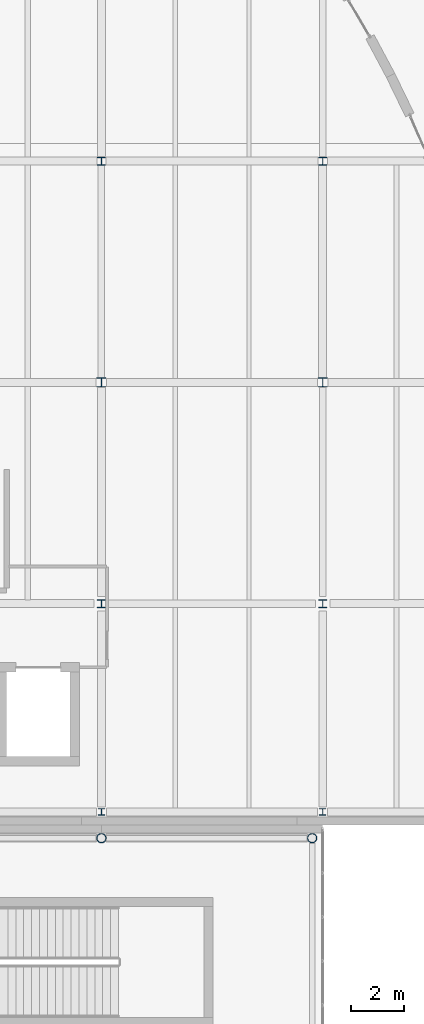
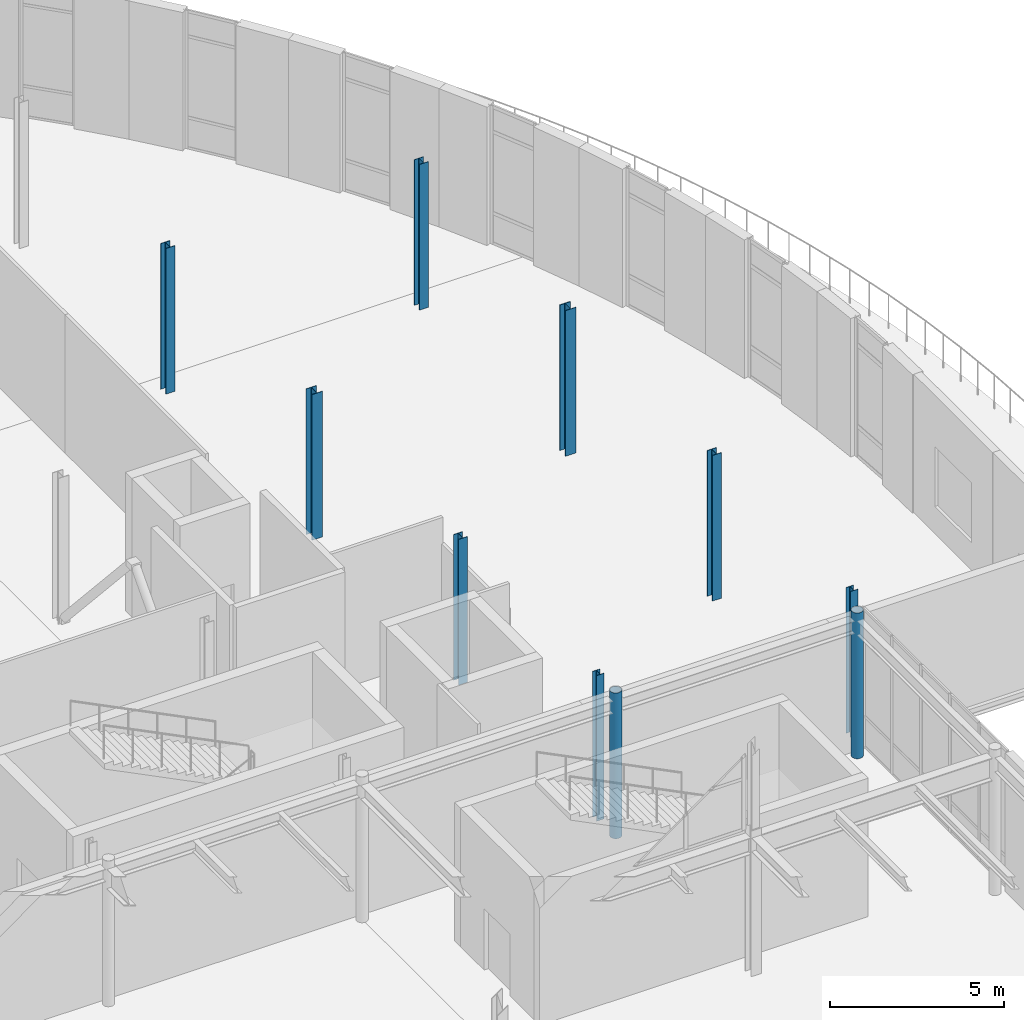
# One storey, part 13 of 91: 10 columns.
"""IFC4 building model written with IfcOpenShell, lengths in metres."""

from ifc_helpers import new_model, si_unit, direction, frame, origin, origin_2d, place, context, subcontext, project, spatial, hollow_circle, i_section, extrude, material, material_profile, profile_set, type_object, element, save


model = new_model("IFC4")

# Units and contexts
model_context = context("Model", 3, precision=1e-05, world=origin(), true_north=direction((0.0, 1.0)))
body_context = subcontext(model_context, "Body", "Model", "MODEL_VIEW")
ifc_project = project(units=[si_unit("LENGTHUNIT", "METRE"), si_unit("AREAUNIT", "SQUARE_METRE"), si_unit("VOLUMEUNIT", "CUBIC_METRE"), si_unit("PLANEANGLEUNIT", "RADIAN"), si_unit("MASSUNIT", "GRAM", prefix="KILO"), si_unit("THERMODYNAMICTEMPERATUREUNIT", "KELVIN")], contexts=[model_context])

# Site, building, storey
site_placement = place(None, origin())
site = spatial("IfcSite", under=ifc_project, at=site_placement, CompositionType="ELEMENT")
building_placement = place(site_placement, origin())
building = spatial("IfcBuilding", under=site, at=building_placement, Name="Lustrewick Department Store", CompositionType="ELEMENT")
storey_placement = place(building_placement, frame((0.0, 0.0, 21.60009765625)))
storey = spatial("IfcBuildingStorey", under=building, at=storey_placement, Name="L05", CompositionType="ELEMENT", Elevation=21.60009765625)

# Columns
ifc_material = material(Name="Structural steel Q355B", Category="steel")
ifc_material_profile_1 = material_profile(ifc_material, i_section(OverallWidth=0.347900390625, OverallDepth=0.343994140625, WebThickness=0.010009765625, FlangeThickness=0.01611328125, FilletRadius=0.02001953125, at=origin_2d()), Name="HW 344x348x10x16")
ifc_profile_set_1 = profile_set([ifc_material_profile_1], Name="Structural steel Q355B")
column_type_1 = type_object("IfcColumnType", Name="C14", PredefinedType="COLUMN", material=ifc_profile_set_1)
for number, where, z_axis, x_axis, name in (
    (1, (142.800048828125, 67.199951171875, 0.0), (0.0, 0.0, 1.0), (1.0, 0.0, 0.0), "L05 V4 Column C14"),
    (2, (151.199951171875, 67.199951171875, 0.0), (0.0, 0.0, 1.0), (1.0, 0.0, 0.0), "L05 V4 Column C14"),
):
    element("IfcColumn", number, at=place(storey_placement, frame(where, z_axis=z_axis, x_axis=x_axis)), inside=storey, type_object=column_type_1, Name=name, PredefinedType="COLUMN", context=body_context, shape_type="SweptSolid", body=[
        extrude(i_section(OverallWidth=0.347900390625, OverallDepth=0.343994140625, WebThickness=0.010009765625, FlangeThickness=0.01611328125, FilletRadius=0.02001953125, at=origin_2d()), origin(), (0.0, 0.0, 1.0), 5.099853515625),
    ])
ifc_material_profile_2 = material_profile(ifc_material, i_section(OverallWidth=0.300048828125, OverallDepth=0.300048828125, WebThickness=0.010009765625, FlangeThickness=0.014892578125, FilletRadius=0.01806640625, at=origin_2d()), Name="HW 300x300x10x15")
ifc_profile_set_2 = profile_set([ifc_material_profile_2], Name="Structural steel Q355B")
column_type_2 = type_object("IfcColumnType", Name="C15", PredefinedType="COLUMN", material=ifc_profile_set_2)
for number, where, z_axis, x_axis, name in (
    (3, (142.800048828125, 58.800048828125, 0.0), (0.0, 0.0, 1.0), (1.0, 0.0, 0.0), "L05 V4 Column C15"),
    (4, (142.800048828125, 75.60009765625, 0.0), (0.0, 0.0, 1.0), (1.0, 0.0, 0.0), "L05 V4 Column C15"),
    (5, (151.199951171875, 58.800048828125, 0.0), (0.0, 0.0, 1.0), (1.0, 0.0, 0.0), "L05 V4 Column C15"),
    (6, (151.199951171875, 75.60009765625, 0.0), (0.0, 0.0, 1.0), (1.0, 0.0, 0.0), "L05 V4 Column C15"),
):
    element("IfcColumn", number, at=place(storey_placement, frame(where, z_axis=z_axis, x_axis=x_axis)), inside=storey, type_object=column_type_2, Name=name, PredefinedType="COLUMN", context=body_context, shape_type="SweptSolid", body=[
        extrude(i_section(OverallWidth=0.300048828125, OverallDepth=0.300048828125, WebThickness=0.010009765625, FlangeThickness=0.014892578125, FilletRadius=0.01806640625, at=origin_2d()), origin(), (0.0, 0.0, 1.0), 5.099853515625),
    ])
ifc_material_profile_3 = material_profile(ifc_material, hollow_circle(Radius=0.177978515625, WallThickness=0.013916015625, at=origin_2d()), Name="CHS 356x14")
ifc_profile_set_3 = profile_set([ifc_material_profile_3], Name="Structural steel Q355B")
column_type_3 = type_object("IfcColumnType", Name="CE05", PredefinedType="COLUMN", material=ifc_profile_set_3)
for number, where, z_axis, x_axis, name in (
    (7, (142.800048828125, 49.89990234375, 0.0), (0.0, 0.0, 1.0), (1.0, 0.0, 0.0), "L05 V3 Column CE05"),
    (8, (150.800048828125, 49.89990234375, 0.0), (0.0, 0.0, 1.0), (1.0, 0.0, 0.0), "L05 V3 Column CE05"),
):
    element("IfcColumn", number, at=place(storey_placement, frame(where, z_axis=z_axis, x_axis=x_axis)), inside=storey, type_object=column_type_3, Name=name, PredefinedType="COLUMN", context=body_context, shape_type="SweptSolid", body=[
        extrude(hollow_circle(Radius=0.177978515625, WallThickness=0.013916015625, at=origin_2d()), origin(), (0.0, 0.0, 1.0), 5.099853515625),
    ])
ifc_material_profile_4 = material_profile(ifc_material, i_section(OverallWidth=0.25, OverallDepth=0.25, WebThickness=0.009033203125, FlangeThickness=0.013916015625, FilletRadius=0.01611328125, at=origin_2d()), Name="HW 250x250x9x14")
ifc_profile_set_4 = profile_set([ifc_material_profile_4], Name="Structural steel Q355B")
column_type_4 = type_object("IfcColumnType", Name="CE08", PredefinedType="COLUMN", material=ifc_profile_set_4)
for number, where, z_axis, x_axis, name in (
    (9, (142.800048828125, 50.89990234375, 0.0), (0.0, 0.0, 1.0), (1.0, 0.0, 0.0), "L05 V4 Column CE08"),
    (10, (151.199951171875, 50.89990234375, 0.0), (0.0, 0.0, 1.0), (1.0, 0.0, 0.0), "L05 V4 Column CE08"),
):
    element("IfcColumn", number, at=place(storey_placement, frame(where, z_axis=z_axis, x_axis=x_axis)), inside=storey, type_object=column_type_4, Name=name, PredefinedType="COLUMN", context=body_context, shape_type="SweptSolid", body=[
        extrude(i_section(OverallWidth=0.25, OverallDepth=0.25, WebThickness=0.009033203125, FlangeThickness=0.013916015625, FilletRadius=0.01611328125, at=origin_2d()), origin(), (0.0, 0.0, 1.0), 5.099853515625),
    ])

save(model, "model.ifc")
